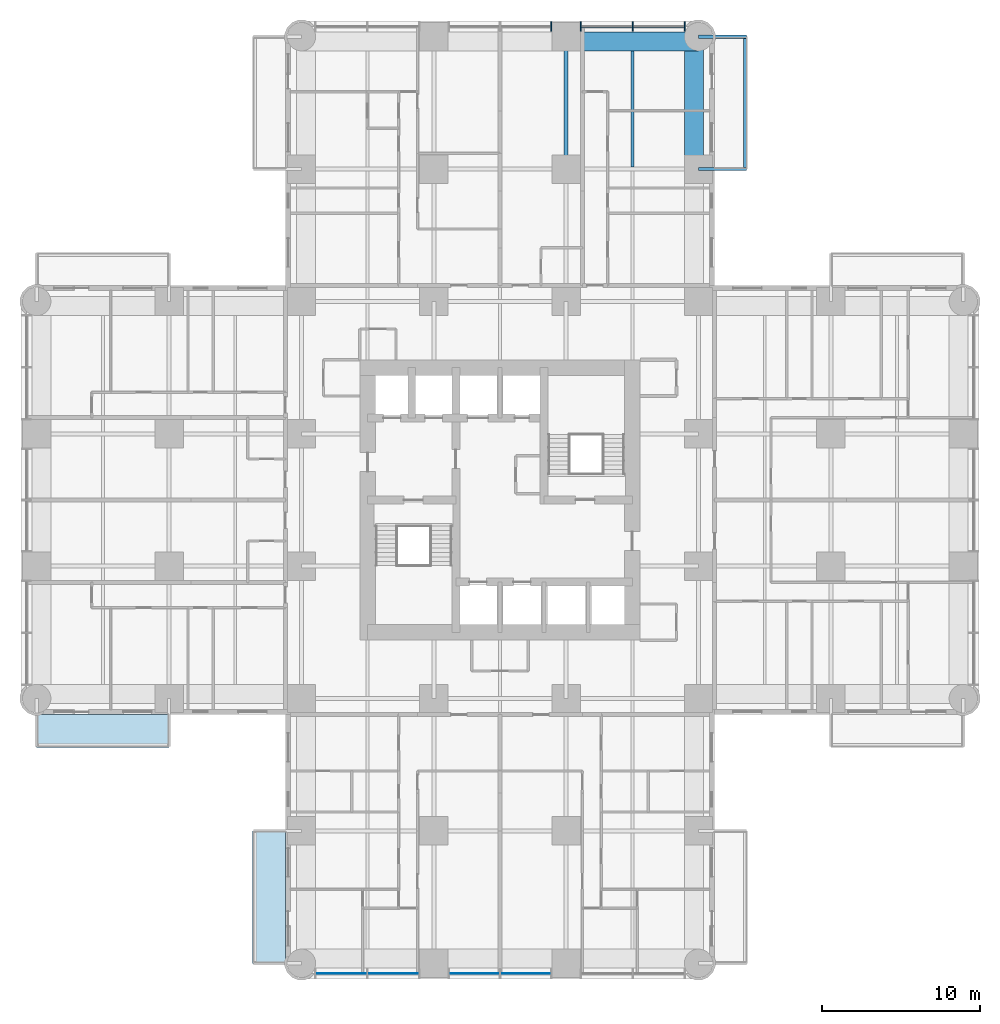
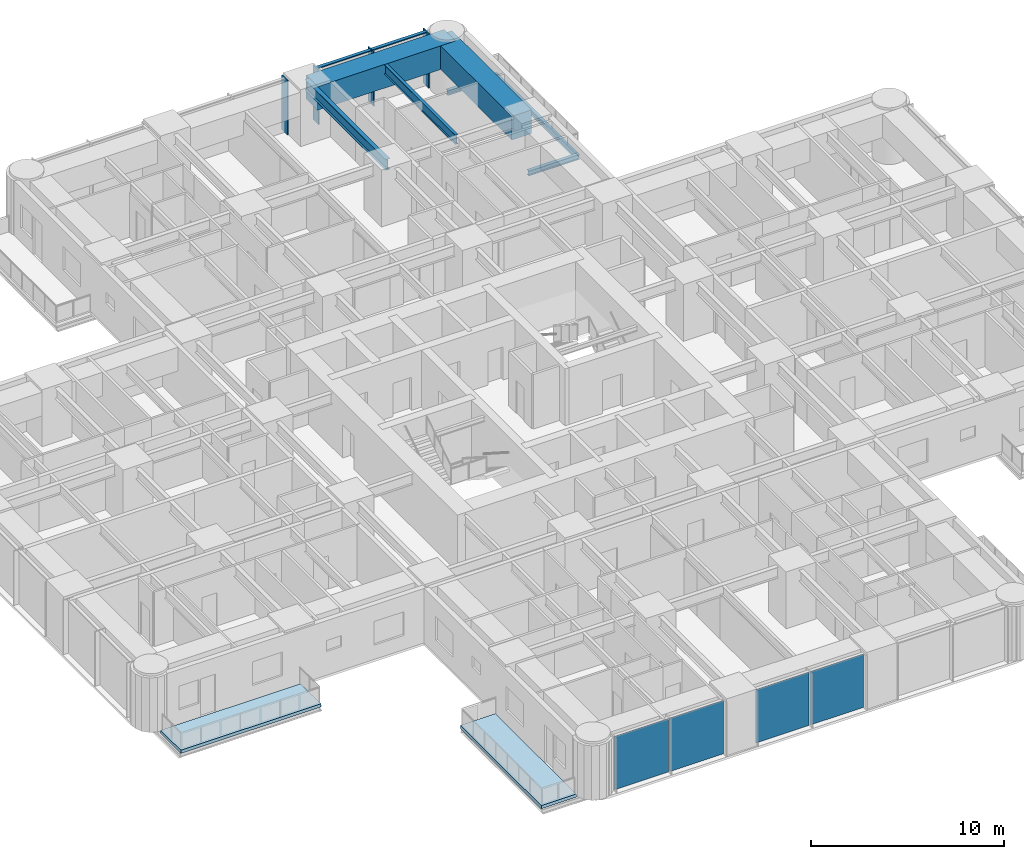
# One storey, part 5 of 17: 7 beams, 6 members, 4 plates, 2 slabs, 2 elements without a shape of their own.
"""IFC4 building model written with IfcOpenShell, lengths in metres."""

from ifc_helpers import new_model, si_unit, direction, frame, origin, origin_2d, place, context, subcontext, project, spatial, polyline, rectangle, i_section, outline, extrude, material, layer, layer_set, material_profile, profile_set, type_object, element, aggregate, save


model = new_model("IFC4")

# Units and contexts
model_context = context("Model", 3, precision=1e-05, world=origin(), true_north=direction((0.0, 1.0)))
body_context = subcontext(model_context, "Body", "Model", "MODEL_VIEW")
ifc_project = project(units=[si_unit("LENGTHUNIT", "METRE"), si_unit("AREAUNIT", "SQUARE_METRE"), si_unit("VOLUMEUNIT", "CUBIC_METRE"), si_unit("PLANEANGLEUNIT", "RADIAN"), si_unit("MASSUNIT", "GRAM", prefix="KILO")], contexts=[model_context])

# Site, building, storey
site_placement = place(None, origin())
site = spatial("IfcSite", under=ifc_project, at=site_placement, CompositionType="ELEMENT")
building_placement = place(site_placement, origin())
building = spatial("IfcBuilding", under=site, at=building_placement, Name="Torre Alcanfor", CompositionType="ELEMENT")
storey_placement = place(building_placement, frame((0.0, 0.0, 66.89990234375)))
storey = spatial("IfcBuildingStorey", under=building, at=storey_placement, Name="L16", CompositionType="ELEMENT", Elevation=66.89990234375)

# Beams
ifc_material_1 = material(Name="Steel ASTM A992 Grade 50", Category="steel")
ifc_material_profile_1 = material_profile(ifc_material_1, i_section(OverallWidth=0.205322265625, OverallDepth=0.309814453125, WebThickness=0.00927734375, FlangeThickness=0.016357421875, at=origin_2d()), Name="W12x50")
ifc_profile_set_1 = profile_set([ifc_material_profile_1], Name="Steel ASTM A992 Grade 50")
beam_type_1 = type_object("IfcBeamType", Name="Balcony cantilever beam W12x50", PredefinedType="BEAM", material=ifc_profile_set_1)
for number, where, z_axis, x_axis, name in (
    (1, (42.0, 50.39990234375, -0.354736328125), (1.0, 0.0, 0.0), (0.0, 1.0, 0.0), "Balcony cantilever beam L16-N2 1"),
    (2, (42.0, 58.800048828125, -0.354736328125), (1.0, 0.0, 0.0), (0.0, 1.0, 0.0), "Balcony cantilever beam L16-N2 2"),
):
    element("IfcBeam", number, at=place(storey_placement, frame(where, z_axis=z_axis, x_axis=x_axis)), inside=storey, type_object=beam_type_1, Name=name, PredefinedType="BEAM", context=body_context, shape_type="SweptSolid", body=[
        extrude(i_section(OverallWidth=0.205322265625, OverallDepth=0.309814453125, WebThickness=0.00927734375, FlangeThickness=0.016357421875, at=origin_2d()), origin(), (0.0, 0.0, 1.0), 3.050048828125),
    ])
ifc_material_2 = material(Name="Steel ASTM A992 Grade 50", Category="steel")
ifc_material_profile_2 = material_profile(ifc_material_2, i_section(OverallWidth=0.203369140625, OverallDepth=0.30224609375, WebThickness=0.007568359375, FlangeThickness=0.01318359375, at=origin_2d()), Name="W12x40")
ifc_profile_set_2 = profile_set([ifc_material_profile_2], Name="Steel ASTM A992 Grade 50")
beam_type_2 = type_object("IfcBeamType", Name="Balcony edge trimmer W12x40", PredefinedType="BEAM", material=ifc_profile_set_2)
beam_1_placement = place(storey_placement, frame((44.9482421875, 50.39990234375, -0.35107421875), z_axis=(0.0, 1.0, 0.0), x_axis=(-1.0, 0.0, 0.0)))
element("IfcBeam", 3, at=beam_1_placement, inside=storey, type_object=beam_type_2, Name="Balcony edge trimmer L16-N2", PredefinedType="BEAM", context=body_context, shape_type="SweptSolid", body=[
    extrude(i_section(OverallWidth=0.203369140625, OverallDepth=0.30224609375, WebThickness=0.007568359375, FlangeThickness=0.01318359375, at=origin_2d()), origin(), (0.0, 0.0, 1.0), 8.400146484375),
])

# Curtain wall, members
ifc_material_3 = material(Name="Aluminium and glass", Category="aluminium")
curtain_wall_type = type_object("IfcCurtainWallType", Name="CW-A unitised apartment glazing with vertical FIN", PredefinedType="NOTDEFINED", material=ifc_material_3)
curtain_wall_1_placement = place(storey_placement, origin())
curtain_wall_1 = element("IfcCurtainWall", 4, at=curtain_wall_1_placement, inside=storey, type_object=curtain_wall_type, Name="Curtain wall CW-A L16 11", PredefinedType="NOTDEFINED")
ifc_material_4 = material(Name="Bronze anodised aluminium", Category="aluminium")
ifc_material_profile_3 = material_profile(ifc_material_4, rectangle(XDim=0.60009765625, YDim=0.06494140625, at=origin_2d()), Name="CW-A mullion 65x600")
ifc_profile_set_3 = profile_set([ifc_material_profile_3], Name="Bronze anodised aluminium")
member_type_1 = type_object("IfcMemberType", Name="CW-A mullion with vertical FIN 65x600", PredefinedType="MULLION", material=ifc_profile_set_3)
member_1_placement = place(storey_placement, frame((41.133056640625, 59.449951171875, 0.0), z_axis=(0.0, 0.0, 1.0), x_axis=(0.0, -1.0, 0.0)))
member_1 = element("IfcMember", 5, at=member_1_placement, type_object=member_type_1, Name="CW-A mullion 1.1", PredefinedType="MULLION", context=body_context, shape_type="SweptSolid", body=[
    extrude(rectangle(XDim=0.60009765625, YDim=0.06494140625, at=origin_2d()), origin(), (0.0, 0.0, 1.0), 3.4501953125),
])
member_2_placement = place(storey_placement, frame((37.835205078125, 59.449951171875, 0.0), z_axis=(0.0, 0.0, 1.0), x_axis=(0.0, -1.0, 0.0)))
member_2 = element("IfcMember", 6, at=member_2_placement, type_object=member_type_1, Name="CW-A mullion 1.2", PredefinedType="MULLION", context=body_context, shape_type="SweptSolid", body=[
    extrude(rectangle(XDim=0.60009765625, YDim=0.06494140625, at=origin_2d()), origin(), (0.0, 0.0, 1.0), 3.4501953125),
])
member_3_placement = place(storey_placement, frame((34.53759765625, 59.449951171875, 0.0), z_axis=(0.0, 0.0, 1.0), x_axis=(0.0, -1.0, 0.0)))
member_3 = element("IfcMember", 7, at=member_3_placement, type_object=member_type_1, Name="CW-A mullion 1.3", PredefinedType="MULLION", context=body_context, shape_type="SweptSolid", body=[
    extrude(rectangle(XDim=0.60009765625, YDim=0.06494140625, at=origin_2d()), origin(), (0.0, 0.0, 1.0), 3.4501953125),
])
member_4_placement = place(storey_placement, frame((32.66259765625, 59.449951171875, 0.0), z_axis=(0.0, 0.0, 1.0), x_axis=(0.0, -1.0, 0.0)))
member_4 = element("IfcMember", 8, at=member_4_placement, type_object=member_type_1, Name="CW-A mullion 2.1", PredefinedType="MULLION", context=body_context, shape_type="SweptSolid", body=[
    extrude(rectangle(XDim=0.60009765625, YDim=0.06494140625, at=origin_2d()), origin(), (0.0, 0.0, 1.0), 3.4501953125),
])
ifc_material_5 = material(Name="Extruded aluminium", Category="aluminium")
ifc_material_profile_4 = material_profile(ifc_material_5, rectangle(XDim=0.199951171875, YDim=0.06494140625, at=origin_2d()), Name="CW-A transom 200x65")
ifc_profile_set_4 = profile_set([ifc_material_profile_4], Name="Extruded aluminium")
member_type_2 = type_object("IfcMemberType", Name="CW-A transom 65x200", PredefinedType="USERDEFINED", material=ifc_profile_set_4)
member_5_placement = place(storey_placement, frame((41.1005859375, 59.449951171875, 3.41748046875), z_axis=(-1.0, 0.0, 0.0), x_axis=(0.0, -1.0, 0.0)))
member_5 = element("IfcMember", 9, at=member_5_placement, type_object=member_type_2, Name="CW-A transom 1.1.2", ObjectType="TRANSOM", PredefinedType="USERDEFINED", context=body_context, shape_type="SweptSolid", body=[
    extrude(rectangle(XDim=0.199951171875, YDim=0.06494140625, at=origin_2d()), origin(), (0.0, 0.0, 1.0), 3.23291015625),
])
member_6_placement = place(storey_placement, frame((37.802734375, 59.449951171875, 3.41748046875), z_axis=(-1.0, 0.0, 0.0), x_axis=(0.0, -1.0, 0.0)))
member_6 = element("IfcMember", 10, at=member_6_placement, type_object=member_type_2, Name="CW-A transom 1.2.2", ObjectType="TRANSOM", PredefinedType="USERDEFINED", context=body_context, shape_type="SweptSolid", body=[
    extrude(rectangle(XDim=0.199951171875, YDim=0.06494140625, at=origin_2d()), origin(), (0.0, 0.0, 1.0), 3.232666015625),
])
aggregate(curtain_wall_1, [member_1, member_2, member_3, member_5, member_6, member_4])

# Beams
ifc_material_6 = material(Name="Steel ASTM A992 Grade 50", Category="steel")
ifc_material_profile_5 = material_profile(ifc_material_6, i_section(OverallWidth=0.25390625, OverallDepth=0.683349609375, WebThickness=0.012451171875, FlangeThickness=0.01904296875, at=origin_2d()), Name="W27x94")
ifc_profile_set_5 = profile_set([ifc_material_profile_5], Name="Steel ASTM A992 Grade 50")
beam_type_3 = type_object("IfcBeamType", Name="Girder W27x94", PredefinedType="BEAM", material=ifc_profile_set_5)
beam_2_placement = place(storey_placement, frame((33.60009765625, 50.39990234375, 3.1083984375), z_axis=(0.0, 1.0, 0.0), x_axis=(-1.0, 0.0, 0.0)))
element("IfcBeam", 11, at=beam_2_placement, inside=storey, type_object=beam_type_3, Name="Beam 5J-5K under L17", PredefinedType="BEAM", context=body_context, shape_type="SweptSolid", body=[
    extrude(i_section(OverallWidth=0.25390625, OverallDepth=0.683349609375, WebThickness=0.012451171875, FlangeThickness=0.01904296875, at=origin_2d()), origin(), (0.0, 0.0, 1.0), 8.400146484375),
])
ifc_material_7 = material(Name="Concrete f'c 70 MPa", Category="concrete")
ifc_material_profile_6 = material_profile(ifc_material_7, rectangle(XDim=1.199951171875, YDim=1.5, at=origin_2d()), Name="1200x1500")
ifc_profile_set_6 = profile_set([ifc_material_profile_6], Name="Concrete f'c 70 MPa")
beam_type_4 = type_object("IfcBeamType", Name="RC perimeter beam 1200x1500", PredefinedType="BEAM", material=ifc_profile_set_6)
for number, where, z_axis, x_axis, name in (
    (12, (33.72705078125, 58.5, 2.7001953125), (1.0, 0.0, 0.0), (0.0, 1.0, 0.0), "Beam 5K-6K under L17"),
    (13, (41.699951171875, 50.527099609375, 2.7001953125), (0.0, 1.0, 0.0), (-1.0, 0.0, 0.0), "Beam 6J-6K under L17"),
):
    element("IfcBeam", number, at=place(storey_placement, frame(where, z_axis=z_axis, x_axis=x_axis)), inside=storey, type_object=beam_type_4, Name=name, PredefinedType="BEAM", context=body_context, shape_type="SweptSolid", body=[
        extrude(rectangle(XDim=1.199951171875, YDim=1.5, at=origin_2d()), origin(), (0.0, 0.0, 1.0), 8.27294921875),
    ])
ifc_material_8 = material(Name="Steel ASTM A992 Grade 50", Category="steel")
ifc_material_profile_7 = material_profile(ifc_material_8, i_section(OverallWidth=0.1787109375, OverallDepth=0.60205078125, WebThickness=0.010986328125, FlangeThickness=0.014892578125, at=origin_2d()), Name="W24x62")
ifc_profile_set_7 = profile_set([ifc_material_profile_7], Name="Steel ASTM A992 Grade 50")
beam_type_5 = type_object("IfcBeamType", Name="Secondary beam W24x62", PredefinedType="BEAM", material=ifc_profile_set_7)
beam_3_placement = place(storey_placement, frame((37.800048828125, 50.527099609375, 3.149169921875), z_axis=(0.0, 1.0, 0.0), x_axis=(-1.0, 0.0, 0.0)))
element("IfcBeam", 14, at=beam_3_placement, inside=storey, type_object=beam_type_5, Name="Beam 37_8J-37_8K under L17", PredefinedType="BEAM", context=body_context, shape_type="SweptSolid", body=[
    extrude(i_section(OverallWidth=0.1787109375, OverallDepth=0.60205078125, WebThickness=0.010986328125, FlangeThickness=0.014892578125, at=origin_2d()), origin(), (0.0, 0.0, 1.0), 7.372802734375),
])

# Slabs
ifc_material_9 = material(Name="Concrete f'c 35 MPa", Category="concrete")
ifc_layer_1 = layer(ifc_material_9, 0.199951171875)
ifc_layer_set_1 = layer_set([ifc_layer_1], Name="Balcony slab 200")
slab_type = type_object("IfcSlabType", Name="Balcony slab 200", PredefinedType="FLOOR", material=ifc_layer_set_1)
slab_1_placement = place(storey_placement, frame((0.0, 0.0, -0.199951171875)))
element("IfcSlab", 15, at=slab_1_placement, inside=storey, type_object=slab_type, Name="Balcony L16-S2", PredefinedType="FLOOR", context=body_context, shape_type="SweptSolid", body=[
    extrude(outline(polyline([(13.699951171875, 8.39990234375), (13.699951171875, 0.0), (15.800048828125, 0.0), (15.800048828125, 8.39990234375), (13.699951171875, 8.39990234375)])), origin(), (0.0, 0.0, 1.0), 0.199951171875),
])
slab_2_placement = place(storey_placement, frame((0.0, 0.0, -0.199951171875)))
element("IfcSlab", 16, at=slab_2_placement, inside=storey, type_object=slab_type, Name="Balcony L16-W1", PredefinedType="FLOOR", context=body_context, shape_type="SweptSolid", body=[
    extrude(outline(polyline([(8.39990234375, 15.800048828125), (0.0, 15.800048828125), (0.0, 13.699951171875), (8.39990234375, 13.699951171875), (8.39990234375, 15.800048828125)])), origin(), (0.0, 0.0, 1.0), 0.199951171875),
])

# Curtain wall, plates
curtain_wall_2_placement = place(storey_placement, origin())
curtain_wall_2 = element("IfcCurtainWall", 17, at=curtain_wall_2_placement, inside=storey, type_object=curtain_wall_type, Name="Curtain wall CW-A L16 5", PredefinedType="NOTDEFINED")
ifc_material_10 = material(Name="Glass", Category="glass")
ifc_layer_2 = layer(ifc_material_10, 0.028076171875)
ifc_layer_set_2 = layer_set([ifc_layer_2], Name="CW-A clear double glazed unit")
plate_type = type_object("IfcPlateType", Name="CW-A clear double glazed unit", PredefinedType="CURTAIN_PANEL", material=ifc_layer_set_2)
plate_1_placement = place(storey_placement, frame((19.31591796875, -0.64990234375, 0.0), z_axis=(0.0, 0.0, 1.0), x_axis=(1.0, 0.0, 0.0)))
plate_1 = element("IfcPlate", 18, at=plate_1_placement, type_object=plate_type, Name="CW-A panel 1.1.1", PredefinedType="CURTAIN_PANEL", context=body_context, shape_type="SweptSolid", body=[
    extrude(rectangle(XDim=3.232666015625, YDim=0.028076171875, at=origin_2d()), origin(), (0.0, 0.0, 1.0), 3.385009765625),
])
plate_2_placement = place(storey_placement, frame((22.613525390625, -0.64990234375, 0.0), z_axis=(0.0, 0.0, 1.0), x_axis=(1.0, 0.0, 0.0)))
plate_2 = element("IfcPlate", 19, at=plate_2_placement, type_object=plate_type, Name="CW-A panel 1.2.1", PredefinedType="CURTAIN_PANEL", context=body_context, shape_type="SweptSolid", body=[
    extrude(rectangle(XDim=3.232666015625, YDim=0.028076171875, at=origin_2d()), origin(), (0.0, 0.0, 1.0), 3.385009765625),
])
plate_3_placement = place(storey_placement, frame((27.768798828125, -0.64990234375, 0.0), z_axis=(0.0, 0.0, 1.0), x_axis=(1.0, 0.0, 0.0)))
plate_3 = element("IfcPlate", 20, at=plate_3_placement, type_object=plate_type, Name="CW-A panel 2.1.1", PredefinedType="CURTAIN_PANEL", context=body_context, shape_type="SweptSolid", body=[
    extrude(rectangle(XDim=3.197509765625, YDim=0.028076171875, at=origin_2d()), origin(), (0.0, 0.0, 1.0), 3.385009765625),
])
plate_4_placement = place(storey_placement, frame((31.03125, -0.64990234375, 0.0), z_axis=(0.0, 0.0, 1.0), x_axis=(1.0, 0.0, 0.0)))
plate_4 = element("IfcPlate", 21, at=plate_4_placement, type_object=plate_type, Name="CW-A panel 2.2.1", PredefinedType="CURTAIN_PANEL", context=body_context, shape_type="SweptSolid", body=[
    extrude(rectangle(XDim=3.197509765625, YDim=0.028076171875, at=origin_2d()), origin(), (0.0, 0.0, 1.0), 3.385009765625),
])
aggregate(curtain_wall_2, [plate_1, plate_2, plate_3, plate_4])

save(model, "model.ifc")
